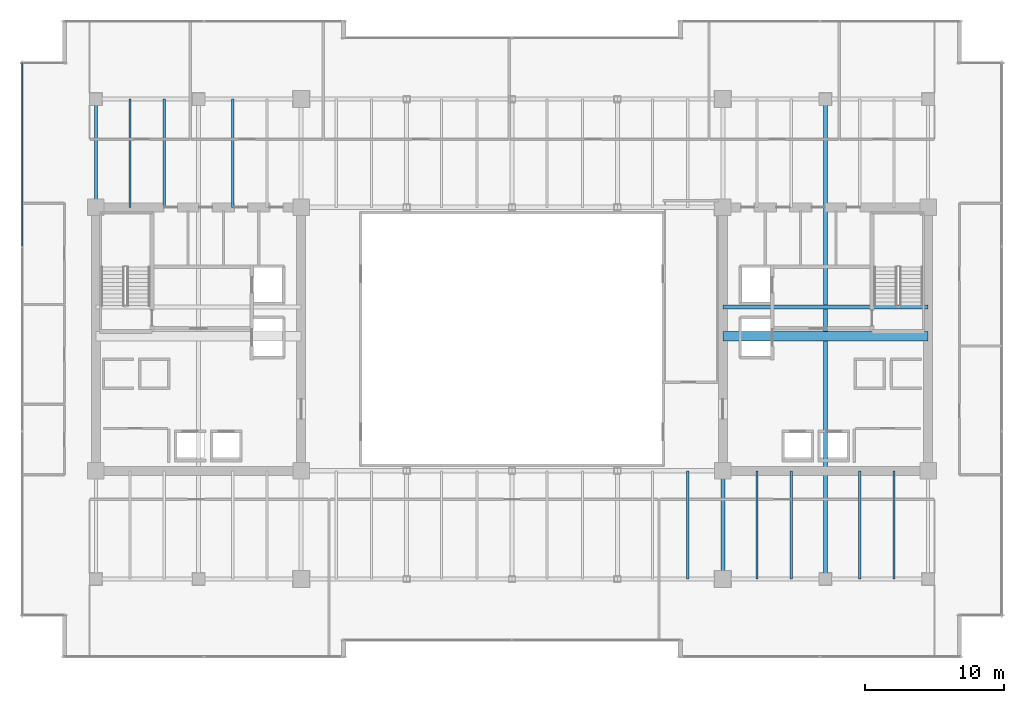
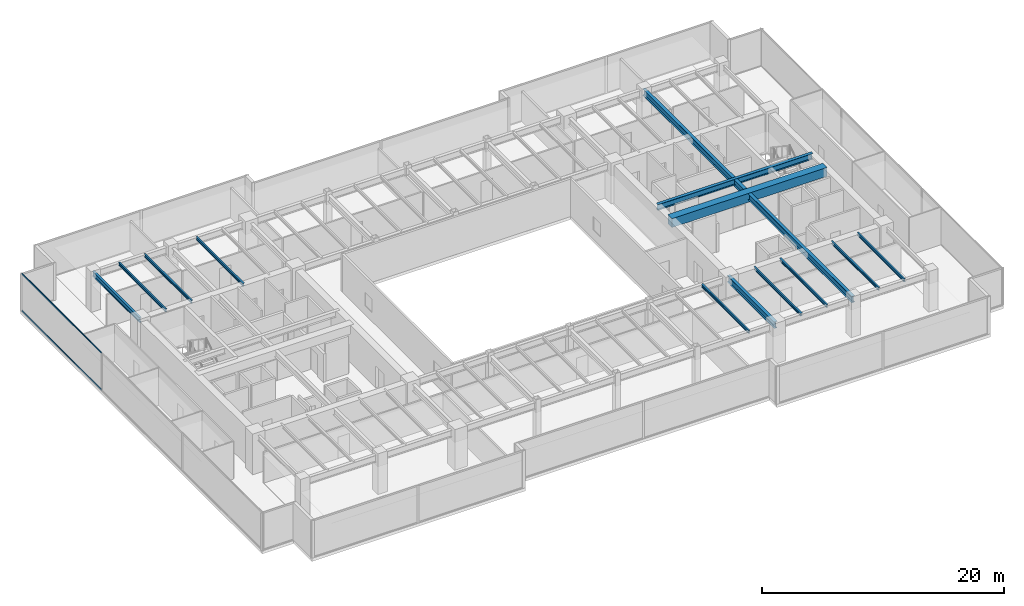
# One storey, part 13 of 33: 13 beams, 2 members, 1 element without a shape of its own.
"""IFC4 building model written with IfcOpenShell, lengths in metres."""

from ifc_helpers import new_model, si_unit, direction, frame, origin, origin_2d, place, context, subcontext, project, spatial, rectangle, hollow_rectangle, i_section, extrude, source, transform, mapped, material, layer, layer_set, material_profile, profile_set, type_object, type_shapes, element, aggregate, save


model = new_model("IFC4")

# Units and contexts
model_context = context("Model", 3, precision=1e-05, world=origin(), true_north=direction((0.0, 1.0)))
body_context = subcontext(model_context, "Body", "Model", "MODEL_VIEW")
ifc_project = project(units=[si_unit("LENGTHUNIT", "METRE"), si_unit("AREAUNIT", "SQUARE_METRE"), si_unit("VOLUMEUNIT", "CUBIC_METRE"), si_unit("PLANEANGLEUNIT", "RADIAN"), si_unit("MASSUNIT", "GRAM", prefix="KILO")], contexts=[model_context])

# Site, building, storey
site_placement = place(None, origin())
site = spatial("IfcSite", under=ifc_project, at=site_placement, CompositionType="ELEMENT")
building_placement = place(site_placement, origin())
building = spatial("IfcBuilding", under=site, at=building_placement, Name="Haelvirn Gate Laboratories", CompositionType="ELEMENT")
storey_placement = place(building_placement, frame((0.0, 0.0, 137.89990234375)))
storey = spatial("IfcBuildingStorey", under=building, at=storey_placement, Name="L33", CompositionType="ELEMENT", Elevation=137.89990234375)

# Beams
ifc_material_1 = material(Name="Concrete C60/75", Category="concrete")
ifc_material_profile_1 = material_profile(ifc_material_1, rectangle(XDim=0.699951171875, YDim=0.89990234375, at=origin_2d()), Name="RCB-700x900")
ifc_profile_set_1 = profile_set([ifc_material_profile_1], Name="Concrete C60/75")
beam_type_1 = type_object("IfcBeamType", Name="BM-RCB-900", PredefinedType="LINTEL", material=ifc_profile_set_1)
shared_shape_1 = source(origin(), body_context, "Body", "SweptSolid", [
    extrude(rectangle(XDim=0.699951171875, YDim=0.89990234375, at=origin_2d()), origin(), (0.0, 0.0, 1.0), 14.7998046875),
])
type_shapes(beam_type_1, [shared_shape_1])
beam_1_placement = place(storey_placement, frame((52.60009765625, 24.5, 3.340087890625), z_axis=(1.0, 0.0, 0.0), x_axis=(0.0, 1.0, 0.0)))
element("IfcBeam", 1, at=beam_1_placement, inside=storey, type_object=beam_type_1, Name="L33 East Core Coupling Beam", PredefinedType="LINTEL", context=body_context, shape_type="MappedRepresentation", body=[
    mapped(shared_shape_1, transform((0.0, 0.0, 0.0), scale=1.0)),
])
ifc_material_2 = material(Name="Steel SM355", Category="steel")
ifc_material_profile_2 = material_profile(ifc_material_2, i_section(OverallWidth=0.300048828125, OverallDepth=0.587890625, WebThickness=0.011962890625, FlangeThickness=0.02001953125, at=origin_2d()), Name="H-588x300x12x20")
ifc_profile_set_2 = profile_set([ifc_material_profile_2], Name="Steel SM355")
beam_type_2 = type_object("IfcBeamType", Name="BM-G-588", PredefinedType="BEAM", material=ifc_profile_set_2)
shared_shape_2 = source(origin(), body_context, "Body", "SweptSolid", [
    extrude(i_section(OverallWidth=0.300048828125, OverallDepth=0.587890625, WebThickness=0.011962890625, FlangeThickness=0.02001953125, at=origin_2d()), origin(), (0.0, 0.0, 1.0), 14.7998046875),
])
type_shapes(beam_type_2, [shared_shape_2])
beam_2_placement = place(storey_placement, frame((52.60009765625, 26.6201171875, 3.49609375), z_axis=(1.0, 0.0, 0.0), x_axis=(0.0, 1.0, 0.0)))
element("IfcBeam", 2, at=beam_2_placement, inside=storey, type_object=beam_type_2, Name="L33 Stair ST2 Landing Header", PredefinedType="BEAM", context=body_context, shape_type="MappedRepresentation", body=[
    mapped(shared_shape_2, transform((0.0, 0.0, 0.0), scale=1.0)),
])
ifc_material_profile_3 = material_profile(ifc_material_2, i_section(OverallWidth=0.199951171875, OverallDepth=0.5, WebThickness=0.010009765625, FlangeThickness=0.01611328125, at=origin_2d()), Name="H-500x200x10x16")
ifc_profile_set_3 = profile_set([ifc_material_profile_3], Name="Steel SM355")
beam_type_3 = type_object("IfcBeamType", Name="BM-SP-500", PredefinedType="SPANDREL", material=ifc_profile_set_3)
shared_shape_3 = source(origin(), body_context, "Body", "SweptSolid", [
    extrude(i_section(OverallWidth=0.199951171875, OverallDepth=0.5, WebThickness=0.010009765625, FlangeThickness=0.01611328125, at=origin_2d()), origin(), (0.0, 0.0, 1.0), 7.800048828125),
])
type_shapes(beam_type_3, [shared_shape_3])
beam_3_placement = place(storey_placement, frame((7.39990234375, 33.800048828125, 3.5400390625), z_axis=(0.0, 1.0, 0.0), x_axis=(-1.0, 0.0, 0.0)))
element("IfcBeam", 3, at=beam_3_placement, inside=storey, type_object=beam_type_3, Name="L33 Perimeter Spandrel X7.4 (33.8-41.6)", PredefinedType="SPANDREL", context=body_context, shape_type="MappedRepresentation", body=[
    mapped(shared_shape_3, transform((0.0, 0.0, 0.0), scale=1.0)),
])
ifc_material_profile_4 = material_profile(ifc_material_2, i_section(OverallWidth=0.300048828125, OverallDepth=0.64990234375, WebThickness=0.012939453125, FlangeThickness=0.02197265625, at=origin_2d()), Name="H-650x300x13x22")
ifc_profile_set_4 = profile_set([ifc_material_profile_4], Name="Steel SM355")
beam_type_4 = type_object("IfcBeamType", Name="BM-G-650", PredefinedType="BEAM", material=ifc_profile_set_4)
shared_shape_4 = source(origin(), body_context, "Body", "SweptSolid", [
    extrude(i_section(OverallWidth=0.300048828125, OverallDepth=0.64990234375, WebThickness=0.012939453125, FlangeThickness=0.02197265625, at=origin_2d()), origin(), (0.0, 0.0, 1.0), 34.60009765625),
])
beam_4_placement = place(storey_placement, frame((60.0, 7.0, 3.465087890625), z_axis=(0.0, 1.0, 0.0), x_axis=(-1.0, 0.0, 0.0)))
element("IfcBeam", 4, at=beam_4_placement, inside=storey, type_object=beam_type_4, Name="L33 Frame Girder X60.0 (7.0-41.6)", PredefinedType="BEAM", context=body_context, shape_type="MappedRepresentation", body=[
    mapped(shared_shape_4, transform((0.0, 0.0, 0.0), scale=1.0)),
])
shared_shape_5 = source(origin(), body_context, "Body", "SweptSolid", [
    extrude(i_section(OverallWidth=0.300048828125, OverallDepth=0.64990234375, WebThickness=0.012939453125, FlangeThickness=0.02197265625, at=origin_2d()), origin(), (0.0, 0.0, 1.0), 7.800048828125),
])
type_shapes(beam_type_4, [shared_shape_4, shared_shape_5])
beam_5_placement = place(storey_placement, frame((52.60009765625, 7.0, 3.465087890625), z_axis=(0.0, 1.0, 0.0), x_axis=(-1.0, 0.0, 0.0)))
element("IfcBeam", 5, at=beam_5_placement, inside=storey, type_object=beam_type_4, Name="L33 Frame Girder X52.6 (7.0-14.8)", PredefinedType="BEAM", context=body_context, shape_type="MappedRepresentation", body=[
    mapped(shared_shape_5, transform((0.0, 0.0, 0.0), scale=1.0)),
])
ifc_material_profile_5 = material_profile(ifc_material_2, i_section(OverallWidth=0.14990234375, OverallDepth=0.300048828125, WebThickness=0.006591796875, FlangeThickness=0.009033203125, at=origin_2d()), Name="H-300x150x6.5x9")
ifc_profile_set_5 = profile_set([ifc_material_profile_5], Name="Steel SM355")
beam_type_5 = type_object("IfcBeamType", Name="BM-J-300", PredefinedType="JOIST", material=ifc_profile_set_5)
shared_shape_6 = source(origin(), body_context, "Body", "SweptSolid", [
    extrude(i_section(OverallWidth=0.14990234375, OverallDepth=0.300048828125, WebThickness=0.006591796875, FlangeThickness=0.009033203125, at=origin_2d()), origin(), (0.0, 0.0, 1.0), 7.800048828125),
])
type_shapes(beam_type_5, [shared_shape_6])
for number, where, z_axis, x_axis, name in (
    (6, (9.8701171875, 33.800048828125, 3.64013671875), (0.0, 1.0, 0.0), (-1.0, 0.0, 0.0), "L33 Composite Lab Joist North X9.87"),
    (7, (12.330078125, 33.800048828125, 3.64013671875), (0.0, 1.0, 0.0), (-1.0, 0.0, 0.0), "L33 Composite Lab Joist North X12.33"),
    (8, (17.27001953125, 33.800048828125, 3.64013671875), (0.0, 1.0, 0.0), (-1.0, 0.0, 0.0), "L33 Composite Lab Joist North X17.27"),
    (9, (50.070068359375, 7.0, 3.64013671875), (0.0, 1.0, 0.0), (-1.0, 0.0, 0.0), "L33 Composite Lab Joist South X50.07"),
    (10, (55.070068359375, 7.0, 3.64013671875), (0.0, 1.0, 0.0), (-1.0, 0.0, 0.0), "L33 Composite Lab Joist South X55.07"),
    (11, (57.530029296875, 7.0, 3.64013671875), (0.0, 1.0, 0.0), (-1.0, 0.0, 0.0), "L33 Composite Lab Joist South X57.53"),
    (12, (62.469970703125, 7.0, 3.64013671875), (0.0, 1.0, 0.0), (-1.0, 0.0, 0.0), "L33 Composite Lab Joist South X62.47"),
    (13, (64.929931640625, 7.0, 3.64013671875), (0.0, 1.0, 0.0), (-1.0, 0.0, 0.0), "L33 Composite Lab Joist South X64.93"),
):
    element("IfcBeam", number, at=place(storey_placement, frame(where, z_axis=z_axis, x_axis=x_axis)), inside=storey, type_object=beam_type_5, Name=name, PredefinedType="JOIST", context=body_context, shape_type="MappedRepresentation", body=[
        mapped(shared_shape_6, transform((0.0, 0.0, 0.0), scale=1.0)),
    ])

# Curtain wall, members
ifc_material_3 = material(Name="Anodised bronze unitised aluminium & triple low-E glass", Category="aluminium")
ifc_layer = layer(ifc_material_3, 0.179931640625, Name="CW-SYS-3")
ifc_layer_set = layer_set([ifc_layer], Name="Anodised bronze unitised aluminium & triple low-E glass")
curtain_wall_type = type_object("IfcCurtainWallType", Name="CW-SYS-3", PredefinedType="NOTDEFINED", material=ifc_layer_set)
curtain_wall_placement = place(storey_placement, origin())
curtain_wall = element("IfcCurtainWall", 14, at=curtain_wall_placement, inside=storey, type_object=curtain_wall_type, Name="L33 Unitised Curtain Wall CW-L33-P0-E17", PredefinedType="NOTDEFINED")
ifc_material_4 = material(Name="Extruded aluminium 6063-T6 (anodised bronze)", Category="aluminium")
ifc_material_profile_6 = material_profile(ifc_material_4, hollow_rectangle(XDim=0.06494140625, YDim=0.139892578125, WallThickness=0.00390625, at=origin_2d()), Name="CWT-140x65x4")
ifc_profile_set_6 = profile_set([ifc_material_profile_6], Name="Extruded aluminium 6063-T6 (anodised bronze)")
member_type = type_object("IfcMemberType", Name="CWT-T140", PredefinedType="USERDEFINED", material=ifc_profile_set_6)
shared_shape_7 = source(origin(), body_context, "Body", "SweptSolid", [
    extrude(hollow_rectangle(XDim=0.06494140625, YDim=0.139892578125, WallThickness=0.00390625, at=origin_2d()), origin(), (0.0, 0.0, 1.0), 13.220947265625),
])
type_shapes(member_type, [shared_shape_7])
member_1_placement = place(storey_placement, frame((2.10009765625, 44.22509765625, 0.03271484375), z_axis=(0.0, -1.0, 0.0), x_axis=(1.0, 0.0, 0.0)))
member_1 = element("IfcMember", 15, at=member_1_placement, type_object=member_type, Name="CW3 transom 1.1", ObjectType="TRANSOM", PredefinedType="USERDEFINED", context=body_context, shape_type="MappedRepresentation", body=[
    mapped(shared_shape_7, transform((0.0, 0.0, 0.0), scale=1.0)),
])
member_2_placement = place(storey_placement, frame((2.10009765625, 44.22509765625, 3.757568359375), z_axis=(0.0, -1.0, 0.0), x_axis=(1.0, 0.0, 0.0)))
member_2 = element("IfcMember", 16, at=member_2_placement, type_object=member_type, Name="CW3 transom 1.2", ObjectType="TRANSOM", PredefinedType="USERDEFINED", context=body_context, shape_type="MappedRepresentation", body=[
    mapped(shared_shape_7, transform((0.0, 0.0, 0.0), scale=1.0)),
])
aggregate(curtain_wall, [member_1, member_2])

save(model, "model.ifc")
